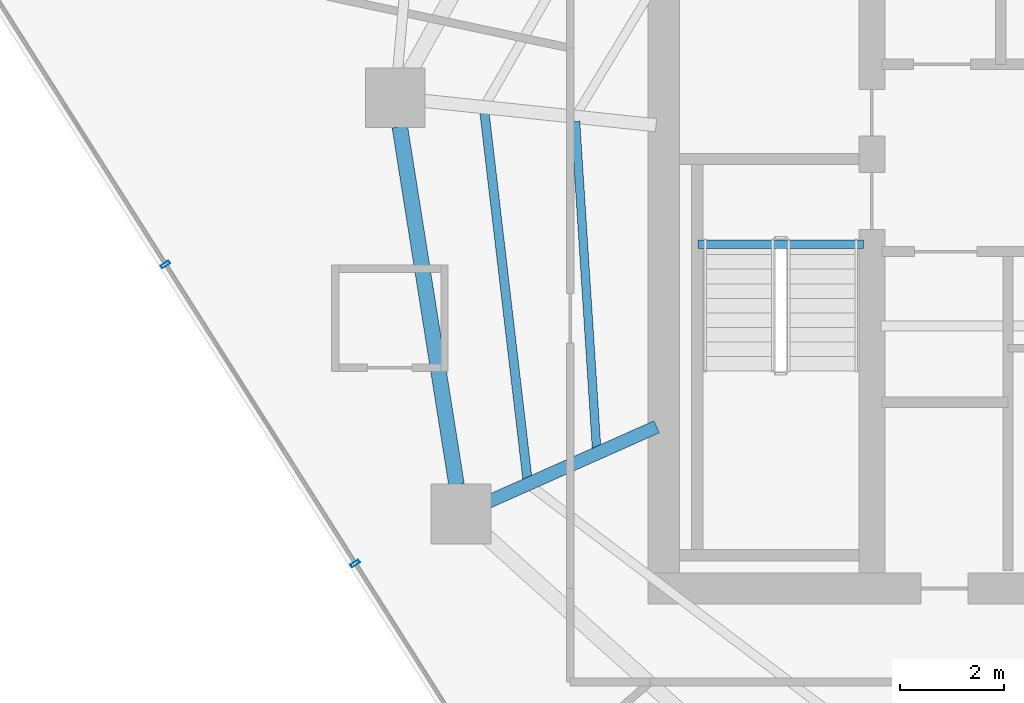
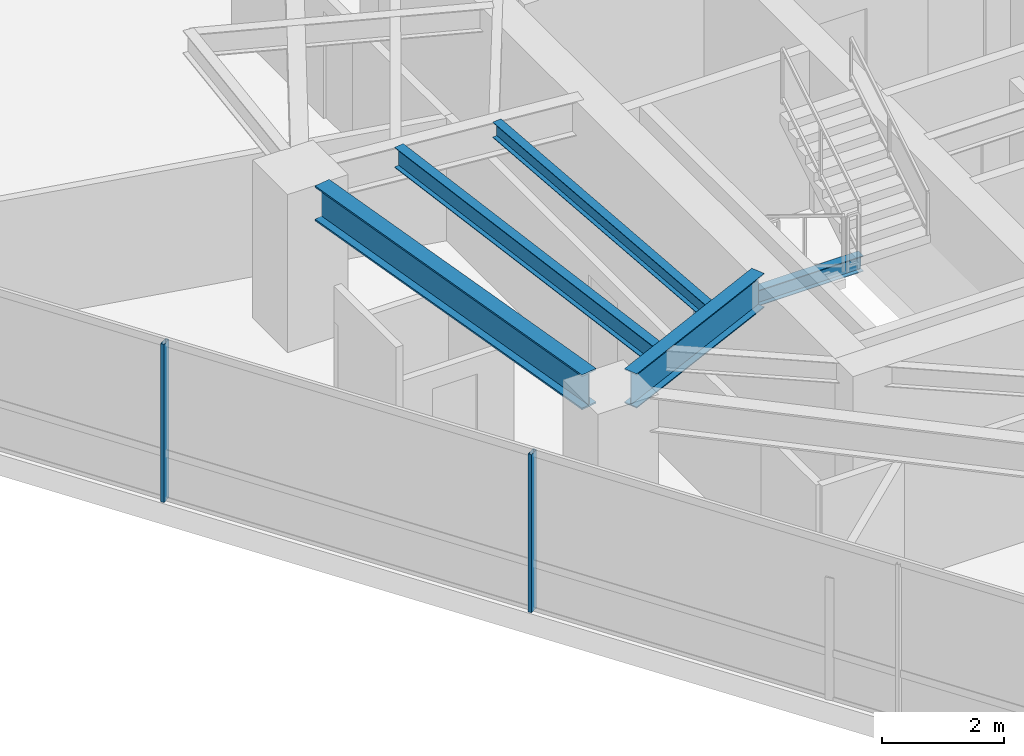
# One storey, part 6 of 25: 5 beams, 2 members, 1 element without a shape of its own.
"""IFC4 building model written with IfcOpenShell, lengths in metres."""

import ifcopenshell
import ifcopenshell.guid

model = None  # the IFC model being written
_history = None  # IfcOwnerHistory: only IFC2X3 demands one
_inside = {}  # id of a spatial element -> (the spatial element, [elements in it])
_under = {}  # id of a project, library or spatial element -> (it, [spatial elements below it])
_declared = {}  # id of a project -> (the project, [libraries it declares])
_typed = {}  # id of a type object -> (the type object, [elements of that type])
_made_of = {}  # id of a material, layer set ... -> (it, [elements and type objects made of it])


def new_model(schema):
    """Start an empty IFC model of exactly this schema.

    Asked for "IFC4X3", IfcOpenShell would pick the latest addendum, in which some entities
    have other attributes; the version numbers below select the first issue.
    IFC2X3 requires an IfcOwnerHistory on every rooted entity: one is made here for all.
    """
    global model, _history
    if schema == "IFC4X3":
        model = ifcopenshell.file(schema_version=(4, 3, 0, 0))
    else:
        model = ifcopenshell.file(schema=schema)
    _inside.clear()
    _under.clear()
    _declared.clear()
    _typed.clear()
    _made_of.clear()
    _history = None
    if model.schema == "IFC2X3":
        org = make("IfcOrganization", Name="unknown")
        user = make(
            "IfcPersonAndOrganization",
            ThePerson=make("IfcPerson", FamilyName="unknown"),
            TheOrganization=org,
        )
        app = make(
            "IfcApplication",
            ApplicationDeveloper=org,
            Version="unknown",
            ApplicationFullName="unknown",
            ApplicationIdentifier="unknown",
        )
        _history = make(
            "IfcOwnerHistory",
            OwningUser=user,
            OwningApplication=app,
            ChangeAction="ADDED",
            CreationDate=0,
        )
    return model


def make(cls, **values):
    """One entity of the class cls with the attributes given. An attribute that is None is left unset."""
    return model.create_entity(
        cls, **{name: value for name, value in values.items() if value is not None}
    )


def rooted(cls, **values):
    """An entity with a GlobalId (a new one), such as an element, a storey or a relation."""
    return make(cls, GlobalId=ifcopenshell.guid.new(), OwnerHistory=_history, **values)


def si_unit(unit_type, name, prefix=None):
    """IfcSIUnit, for example si_unit("LENGTHUNIT", "METRE", prefix="MILLI")."""
    return make("IfcSIUnit", UnitType=unit_type, Prefix=prefix, Name=name)


def assignment(units):
    """IfcUnitAssignment: the units of a project."""
    return None if units is None else make("IfcUnitAssignment", Units=units)


def point(xyz):
    """IfcCartesianPoint."""
    return None if xyz is None else make("IfcCartesianPoint", Coordinates=xyz)


def direction(xyz):
    """IfcDirection."""
    return None if xyz is None else make("IfcDirection", DirectionRatios=xyz)


def frame(location, z_axis=None, x_axis=None):
    """IfcAxis2Placement3D, a coordinate frame: its origin and axes. An axis left out is left unset."""
    return make(
        "IfcAxis2Placement3D",
        Location=point(location),
        Axis=direction(z_axis),
        RefDirection=direction(x_axis),
    )


def frame_2d(location, x_axis=None):
    """IfcAxis2Placement2D, a coordinate frame in the plane: its origin and x axis."""
    return make(
        "IfcAxis2Placement2D", Location=point(location), RefDirection=direction(x_axis)
    )


def origin():
    """The frame at (0, 0, 0) with its axes left unset."""
    return frame((0.0, 0.0, 0.0))


def origin_2d():
    """The frame at (0, 0) in the plane with its x axis left unset."""
    return frame_2d((0.0, 0.0))


def place(relative_to, where):
    """IfcLocalPlacement: puts the frame where relative to a parent placement (None: the world)."""
    return make(
        "IfcLocalPlacement", PlacementRelTo=relative_to, RelativePlacement=where
    )


def context(
    kind, dimensions, precision=None, world=None, true_north=None, identifier=None
):
    """IfcGeometricRepresentationContext, for example the 3D "Model" context."""
    return make(
        "IfcGeometricRepresentationContext",
        ContextIdentifier=identifier,
        ContextType=kind,
        CoordinateSpaceDimension=dimensions,
        Precision=precision,
        WorldCoordinateSystem=world,
        TrueNorth=true_north,
    )


def subcontext(parent, identifier, kind, view, scale=None):
    """IfcGeometricRepresentationSubContext, for example "Body" below "Model"."""
    return make(
        "IfcGeometricRepresentationSubContext",
        ContextIdentifier=identifier,
        ContextType=kind,
        ParentContext=parent,
        TargetScale=scale,
        TargetView=view,
    )


def project(units=None, contexts=None):
    """IfcProject with its units and contexts."""
    return rooted(
        "IfcProject",
        Name="project",
        RepresentationContexts=contexts,
        UnitsInContext=assignment(units),
    )


def spatial(cls, under=None, at=None, **own):
    """A site, building, storey or space (cls), placed at a placement, below another one or the project."""
    s = rooted(cls, ObjectPlacement=at, **own)
    if under is not None:
        _under.setdefault(under.id(), (under, []))[1].append(s)
    return s


def profile(cls, at=None, kind="AREA", **sizes):
    """A parametric profile (cls). Its sizes go by their IFC names, for example OverallWidth=200.0."""
    return make(cls, ProfileType=kind, Position=at, **sizes)


def hollow_rectangle(**sizes):
    """IfcRectangleHollowProfileDef."""
    return profile("IfcRectangleHollowProfileDef", **sizes)


def i_section(**sizes):
    """IfcIShapeProfileDef."""
    return profile("IfcIShapeProfileDef", **sizes)


def extrude(swept, where, along, depth):
    """IfcExtrudedAreaSolid: the profile swept, set in the frame where, extruded along a direction by depth."""
    return make(
        "IfcExtrudedAreaSolid",
        SweptArea=swept,
        Position=where,
        ExtrudedDirection=direction(along),
        Depth=depth,
    )


def shape(context_of_items, identifier, shape_type, items):
    """IfcShapeRepresentation: the items that make up one representation, for example the "Body"."""
    return make(
        "IfcShapeRepresentation",
        ContextOfItems=context_of_items,
        RepresentationIdentifier=identifier,
        RepresentationType=shape_type,
        Items=items,
    )


def material(Name=None, Category=None):
    """IfcMaterial."""
    return make("IfcMaterial", Name=Name, Category=Category)


def layer(
    of_material, thickness, ventilated=None, Name=None, Category=None, Priority=None
):
    """IfcMaterialLayer: one layer of a wall or slab, of a material (None: an air gap)."""
    return make(
        "IfcMaterialLayer",
        Material=of_material,
        LayerThickness=thickness,
        IsVentilated=ventilated,
        Name=Name,
        Category=Category,
        Priority=Priority,
    )


def layer_set(layers, Name=None):
    """IfcMaterialLayerSet."""
    return make("IfcMaterialLayerSet", MaterialLayers=layers, LayerSetName=Name)


def material_profile(
    of_material, cross_section, Name=None, Category=None, Priority=None
):
    """IfcMaterialProfile: a cross section and its material."""
    return make(
        "IfcMaterialProfile",
        Name=Name,
        Material=of_material,
        Profile=cross_section,
        Priority=Priority,
        Category=Category,
    )


def profile_set(profiles, Name=None, composite=None):
    """IfcMaterialProfileSet."""
    return make(
        "IfcMaterialProfileSet",
        Name=Name,
        MaterialProfiles=profiles,
        CompositeProfile=composite,
    )


def made_of(thing, what):
    """Note that an element or type object is made of a material, layer set ...; save() writes the relation."""
    if what is not None:
        _made_of.setdefault(what.id(), (what, []))[1].append(thing)
    return thing


def type_object(cls, material=None, **own):
    """A type object (cls), such as IfcWallType, which elements share."""
    return made_of(rooted(cls, **own), material)


def element(
    cls,
    number,
    at=None,
    inside=None,
    cuts=None,
    type_object=None,
    material=None,
    context=None,
    identifier="Body",
    shape_type=None,
    held_by="IfcProductDefinitionShape",
    body=None,
    shapes=None,
    **own,
):
    """One element of the class cls, such as IfcWall. Its Tag is "e" and its number.

    at: its placement. inside: the storey or other place that contains it. cuts: it is an
    opening in that element (IfcRelVoidsElement). A single representation is given by context,
    identifier, shape_type and body (its items); several are given by shapes. held_by: the class
    of the entity that holds the representations. save() writes the other relations.
    """
    e = rooted(cls, Tag="e%d" % number, ObjectPlacement=at, **own)
    if body is not None:
        shapes = [shape(context, identifier, shape_type, body)]
    if shapes is not None:
        e.Representation = make(held_by, Representations=shapes)
    if inside is not None:
        _inside.setdefault(inside.id(), (inside, []))[1].append(e)
    if cuts is not None:
        rooted(
            "IfcRelVoidsElement", RelatingBuildingElement=cuts, RelatedOpeningElement=e
        )
    if type_object is not None:
        _typed.setdefault(type_object.id(), (type_object, []))[1].append(e)
    return made_of(e, material)


def aggregate(whole, parts):
    """IfcRelAggregates: a whole, such as a stair, and the parts it consists of."""
    return rooted("IfcRelAggregates", RelatingObject=whole, RelatedObjects=parts)


def save(model, path):
    """Write the relations noted so far, then the file.

    IfcRelAggregates (storeys below a building ...), IfcRelContainedInSpatialStructure (elements
    in a storey), IfcRelDefinesByType, IfcRelAssociatesMaterial and IfcRelDeclares: one each for
    every whole, place, type object, material and project.
    """
    for whole, parts in _under.values():
        aggregate(whole, parts)
    for where, things in _inside.values():
        rooted(
            "IfcRelContainedInSpatialStructure",
            RelatedElements=things,
            RelatingStructure=where,
        )
    for kind, things in _typed.values():
        rooted("IfcRelDefinesByType", RelatedObjects=things, RelatingType=kind)
    for what, things in _made_of.values():
        rooted("IfcRelAssociatesMaterial", RelatedObjects=things, RelatingMaterial=what)
    for by, libraries in _declared.values():
        rooted("IfcRelDeclares", RelatingContext=by, RelatedDefinitions=libraries)
    model.write(path)


model = new_model("IFC4")

# Units and contexts
model_context = context("Model", 3, precision=1e-05, world=origin(), true_north=direction((0.0, 1.0)))
body_context = subcontext(model_context, "Body", "Model", "MODEL_VIEW")
ifc_project = project(units=[si_unit("LENGTHUNIT", "METRE"), si_unit("AREAUNIT", "SQUARE_METRE"), si_unit("VOLUMEUNIT", "CUBIC_METRE"), si_unit("PLANEANGLEUNIT", "RADIAN"), si_unit("MASSUNIT", "GRAM", prefix="KILO")], contexts=[model_context])

# Site, building, storey
site_placement = place(None, origin())
site = spatial("IfcSite", under=ifc_project, at=site_placement, CompositionType="ELEMENT")
building_placement = place(site_placement, origin())
building = spatial("IfcBuilding", under=site, at=building_placement, Name="Qarnah Convention Tower", CompositionType="ELEMENT")
storey_placement = place(building_placement, frame((0.0, 0.0, 76.35009765625)))
storey = spatial("IfcBuildingStorey", under=building, at=storey_placement, Name="L19", CompositionType="ELEMENT", Elevation=76.35009765625)

# Beams
ifc_material_1 = material(Name="Structural steel S355JR", Category="steel")
ifc_material_profile_1 = material_profile(ifc_material_1, i_section(OverallWidth=0.166015625, OverallDepth=0.31201171875, WebThickness=0.007080078125, FlangeThickness=0.010986328125, at=origin_2d()), Name="W310X45")
ifc_profile_set_1 = profile_set([ifc_material_profile_1], Name="Structural steel S355JR")
beam_type_1 = type_object("IfcBeamType", Name="BM-JST-W310", PredefinedType="JOIST", material=ifc_profile_set_1)
beam_1_placement = place(storey_placement, frame((27.4599609375, 25.217041015625, -0.156005859375), z_axis=(1.0, 0.0, 0.0), x_axis=(0.0, 1.0, 0.0)))
element("IfcBeam", 1, at=beam_1_placement, inside=storey, type_object=beam_type_1, Name="L19 stair landing trimmer beam BM-L19-ST1-TRM", PredefinedType="BEAM", context=body_context, shape_type="SweptSolid", body=[
    extrude(i_section(OverallWidth=0.166015625, OverallDepth=0.31201171875, WebThickness=0.007080078125, FlangeThickness=0.010986328125, at=origin_2d()), origin(), (0.0, 0.0, 1.0), 3.179931640625),
])
beam_2_placement = place(storey_placement, frame((25.10205078125, 27.58203125, 3.013916015625), z_axis=(0.064363628198, -0.997926512006, 0.0), x_axis=(0.997926512006, 0.064363628198, 0.0)))
element("IfcBeam", 2, at=beam_2_placement, inside=storey, type_object=beam_type_1, Name="L19 joist BM-L19-IJST-05", PredefinedType="JOIST", context=body_context, shape_type="SweptSolid", body=[
    extrude(i_section(OverallWidth=0.166015625, OverallDepth=0.31201171875, WebThickness=0.007080078125, FlangeThickness=0.010986328125, at=origin_2d()), origin(), (0.0, 0.0, 1.0), 6.30810546875),
])
ifc_material_profile_2 = material_profile(ifc_material_1, i_section(OverallWidth=0.177978515625, OverallDepth=0.407958984375, WebThickness=0.008056640625, FlangeThickness=0.012939453125, at=origin_2d()), Name="W410X60")
ifc_profile_set_2 = profile_set([ifc_material_profile_2], Name="Structural steel S355JR")
beam_type_2 = type_object("IfcBeamType", Name="BM-JST-W410", PredefinedType="JOIST", material=ifc_profile_set_2)
beam_3_placement = place(storey_placement, frame((23.35009765625, 27.76806640625, 2.9658203125), z_axis=(0.116421423163, -0.993199905472, 0.0), x_axis=(0.993199905472, 0.116421423163, 0.0)))
element("IfcBeam", 3, at=beam_3_placement, inside=storey, type_object=beam_type_2, Name="L19 joist BM-L19-SJST-05", PredefinedType="JOIST", context=body_context, shape_type="SweptSolid", body=[
    extrude(i_section(OverallWidth=0.177978515625, OverallDepth=0.407958984375, WebThickness=0.008056640625, FlangeThickness=0.012939453125, at=origin_2d()), origin(), (0.0, 0.0, 1.0), 7.119384765625),
])
ifc_material_profile_3 = material_profile(ifc_material_1, i_section(OverallWidth=0.25390625, OverallDepth=0.68798828125, WebThickness=0.012939453125, FlangeThickness=0.02099609375, at=origin_2d()), Name="W690X152")
ifc_profile_set_3 = profile_set([ifc_material_profile_3], Name="Structural steel S355JR")
beam_type_3 = type_object("IfcBeamType", Name="BM-RAD-W690", PredefinedType="BEAM", material=ifc_profile_set_3)
beam_4_placement = place(storey_placement, frame((26.6630859375, 21.708984375, 2.825927734375), z_axis=(-0.913588053958, -0.4066409567, 0.0), x_axis=(0.4066409567, -0.913588053958, 0.0)))
element("IfcBeam", 4, at=beam_4_placement, inside=storey, type_object=beam_type_3, Name="L19 beam BM-L19-RAD-06", PredefinedType="BEAM", context=body_context, shape_type="SweptSolid", body=[
    extrude(i_section(OverallWidth=0.25390625, OverallDepth=0.68798828125, WebThickness=0.012939453125, FlangeThickness=0.02099609375, at=origin_2d()), origin(), (0.0, 0.0, 1.0), 3.560791015625),
])
ifc_material_profile_4 = material_profile(ifc_material_1, i_section(OverallWidth=0.300048828125, OverallDepth=0.699951171875, WebThickness=0.01708984375, FlangeThickness=0.031982421875, at=origin_2d()), Name="HEB700")
ifc_profile_set_4 = profile_set([ifc_material_profile_4], Name="Structural steel S355JR")
beam_type_4 = type_object("IfcBeamType", Name="BM-RING-HEB700", PredefinedType="BEAM", material=ifc_profile_set_4)
beam_5_placement = place(storey_placement, frame((21.72412109375, 27.47802734375, 2.81982421875), z_axis=(0.156482310627, -0.987680761411, 0.0), x_axis=(0.987680761411, 0.156482310627, 0.0)))
element("IfcBeam", 5, at=beam_5_placement, inside=storey, type_object=beam_type_4, Name="L19 beam BM-L19-SPN-05", PredefinedType="BEAM", context=body_context, shape_type="SweptSolid", body=[
    extrude(i_section(OverallWidth=0.300048828125, OverallDepth=0.699951171875, WebThickness=0.01708984375, FlangeThickness=0.031982421875, at=origin_2d()), origin(), (0.0, 0.0, 1.0), 6.970947265625),
])

# Curtain wall, members
ifc_material_2 = material(Name="Tempered Low-E dark glass", Category="glass")
ifc_layer = layer(ifc_material_2, 0.169921875)
ifc_layer_set = layer_set([ifc_layer], Name="Tempered Low-E dark glass")
curtain_wall_type = type_object("IfcCurtainWallType", Name="CWS-02", PredefinedType="NOTDEFINED", material=ifc_layer_set)
curtain_wall_placement = place(storey_placement, origin())
curtain_wall = element("IfcCurtainWall", 6, at=curtain_wall_placement, inside=storey, type_object=curtain_wall_type, Name="L19 unitised curtain wall CW-L19-F3", PredefinedType="NOTDEFINED")
ifc_material_3 = material(Name="Black anodised aluminium", Category="aluminium")
ifc_material_profile_5 = material_profile(ifc_material_3, hollow_rectangle(XDim=0.06494140625, YDim=0.179931640625, WallThickness=0.00390625, at=origin_2d()), Name="MUL-65X180")
ifc_profile_set_5 = profile_set([ifc_material_profile_5], Name="Black anodised aluminium")
member_type = type_object("IfcMemberType", Name="MUL-T2", PredefinedType="MULLION", material=ifc_profile_set_5)
member_1_placement = place(storey_placement, frame((20.865966796875, 19.08056640625, 0.0), z_axis=(0.0, 0.0, 1.0), x_axis=(-0.535845377326, 0.844316132499, 0.0)))
member_1 = element("IfcMember", 7, at=member_1_placement, type_object=member_type, Name="CW-L19-F3 mullion 4", PredefinedType="MULLION", context=body_context, shape_type="SweptSolid", body=[
    extrude(hollow_rectangle(XDim=0.06494140625, YDim=0.179931640625, WallThickness=0.00390625, at=origin_2d()), origin(), (0.0, 0.0, 1.0), 3.169921875),
])
member_2_placement = place(storey_placement, frame((17.216064453125, 24.831787109375, 0.0), z_axis=(0.0, 0.0, 1.0), x_axis=(-0.535845377326, 0.844316132499, 0.0)))
member_2 = element("IfcMember", 8, at=member_2_placement, type_object=member_type, Name="CW-L19-F3 mullion 5", PredefinedType="MULLION", context=body_context, shape_type="SweptSolid", body=[
    extrude(hollow_rectangle(XDim=0.06494140625, YDim=0.179931640625, WallThickness=0.00390625, at=origin_2d()), origin(), (0.0, 0.0, 1.0), 3.169921875),
])
aggregate(curtain_wall, [member_1, member_2])

save(model, "model.ifc")
